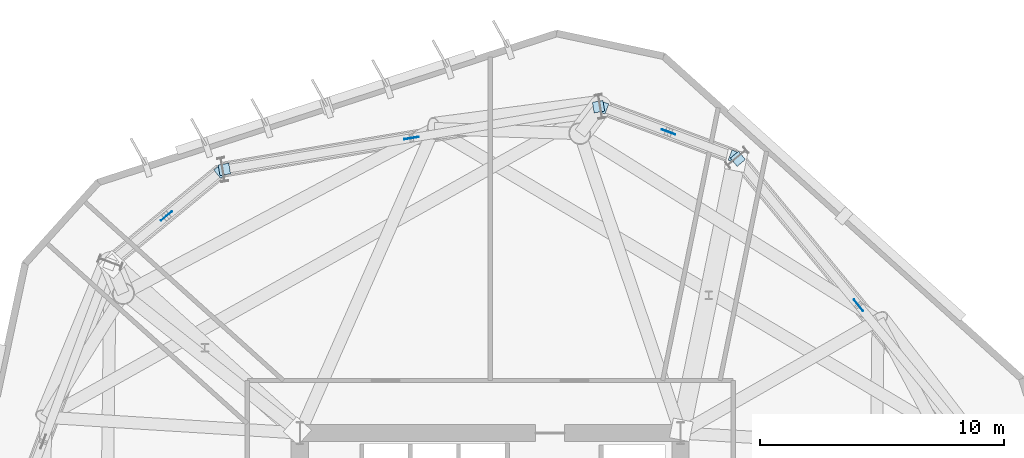
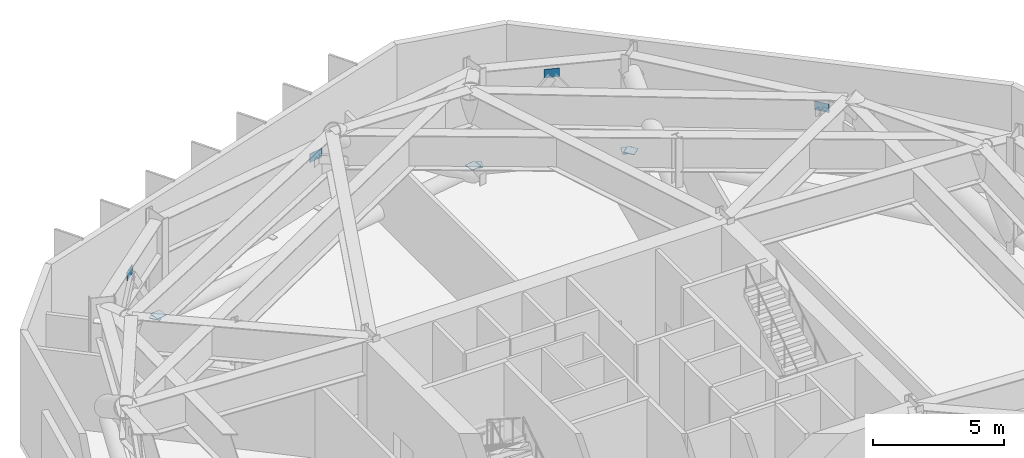
# One storey, part 6 of 12: 10 plates.
"""IFC4 building model written with IfcOpenShell, lengths in metres."""

from ifc_helpers import new_model, si_unit, direction, frame, origin, origin_2d, place, context, subcontext, project, spatial, rectangle, extrude, material, layer, layer_set, type_object, element, save


model = new_model("IFC4")

# Units and contexts
model_context = context("Model", 3, precision=1e-05, world=origin(), true_north=direction((0.0, 1.0)))
body_context = subcontext(model_context, "Body", "Model", "MODEL_VIEW")
ifc_project = project(units=[si_unit("LENGTHUNIT", "METRE"), si_unit("AREAUNIT", "SQUARE_METRE"), si_unit("VOLUMEUNIT", "CUBIC_METRE"), si_unit("PLANEANGLEUNIT", "RADIAN"), si_unit("MASSUNIT", "GRAM", prefix="KILO")], contexts=[model_context])

# Site, building, storey
site_placement = place(None, origin())
site = spatial("IfcSite", under=ifc_project, at=site_placement, CompositionType="ELEMENT")
building_placement = place(site_placement, origin())
building = spatial("IfcBuilding", under=site, at=building_placement, Name="Kranzbogen Civic Tower", CompositionType="ELEMENT")
storey_placement = place(building_placement, frame((0.0, 0.0, 92.0)))
storey = spatial("IfcBuildingStorey", under=building, at=storey_placement, Name="L22", CompositionType="ELEMENT", Elevation=92.0)

# Plates
ifc_material = material(Name="Steel S355", Category="steel")
ifc_layer_1 = layer(ifc_material, 0.028076171875, Name="Steel S355")
ifc_layer_set_1 = layer_set([ifc_layer_1], Name="Steel S355")
plate_type_1 = type_object("IfcPlateType", Name="Belt Truss Node Gusset Plate 600x400x28", PredefinedType="USERDEFINED", material=ifc_layer_set_1)
for number, where, z_axis, x_axis, name in (
    (1, (40.0849609375, 37.43505859375, 4.39013671875), (0.0, 0.0, 1.0), (-0.63609168757, 0.771613481611, 0.0), "L22 belt truss apex gusset plate 08"),
    (2, (32.302001953125, 44.530029296875, 4.39013671875), (0.0, 0.0, 1.0), (-0.936647737878, 0.350272772461, 0.0), "L22 belt truss apex gusset plate 09"),
    (3, (21.77294921875, 44.281982421875, 4.39013671875), (0.0, 0.0, 1.0), (-0.986282720763, -0.165064819767, 0.0), "L22 belt truss apex gusset plate 10"),
    (4, (11.738037109375, 41.087890625, 4.39013671875), (0.0, 0.0, 1.0), (-0.771657887308, -0.636037817237, 0.0), "L22 belt truss apex gusset plate 11"),
):
    element("IfcPlate", number, at=place(storey_placement, frame(where, z_axis=z_axis, x_axis=x_axis)), inside=storey, type_object=plate_type_1, Name=name, ObjectType="GUSSET_PLATE", PredefinedType="USERDEFINED", context=body_context, shape_type="SweptSolid", body=[
        extrude(rectangle(XDim=0.60009765625, YDim=0.028076171875, at=origin_2d()), origin(), (0.0, 0.0, 1.0), 0.39990234375),
    ])
ifc_layer_2 = layer(ifc_material, 0.02490234375, Name="Steel S355")
ifc_layer_set_2 = layer_set([ifc_layer_2], Name="Steel S355")
plate_type_2 = type_object("IfcPlateType", Name="Hollow Section Sealed End Cap Plate 440x440x25", PredefinedType="SHEET", material=ifc_layer_set_2)
for number, where, z_axis, x_axis, name in (
    (5, (35.14306640625, 43.430908203125, 0.631591796875), (0.0, 0.0, 1.0), (0.636051285111, -0.771646786236, 0.0), "DG-350: L22 belt truss diagonal 08B end cap 1"),
    (6, (35.031005859375, 43.509033203125, 0.62744140625), (0.0, 0.0, 1.0), (-0.936641624323, 0.350289119994, 0.0), "DG-350: L22 belt truss diagonal 09A end cap 1"),
    (7, (29.572998046875, 45.551025390625, 0.62744140625), (0.0, 0.0, 1.0), (0.936641624323, -0.350289119994, 0.0), "DG-350: L22 belt truss diagonal 09B end cap 1"),
    (8, (29.43701171875, 45.56494140625, 0.631591796875), (0.0, 0.0, 1.0), (-0.986279839688, -0.165082033622, 0.0), "DG-350: L22 belt truss diagonal 10A end cap 1"),
    (9, (14.110107421875, 42.9990234375, 0.631591796875), (0.0, 0.0, 1.0), (0.986274076637, 0.165116461183, 0.0), "DG-350: L22 belt truss diagonal 10B end cap 1"),
    (10, (13.986083984375, 42.94189453125, 0.62744140625), (0.0, 0.0, 1.0), (-0.771480241957, -0.636253279968, 0.0), "DG-350: L22 belt truss diagonal 11A end cap 1"),
):
    element("IfcPlate", number, at=place(storey_placement, frame(where, z_axis=z_axis, x_axis=x_axis)), inside=storey, type_object=plate_type_2, Name=name, PredefinedType="SHEET", context=body_context, shape_type="SweptSolid", body=[
        extrude(rectangle(XDim=0.43994140625, YDim=0.43994140625, at=origin_2d()), origin(), (0.0, 0.0, 1.0), 0.02490234375),
    ])

save(model, "model.ifc")
